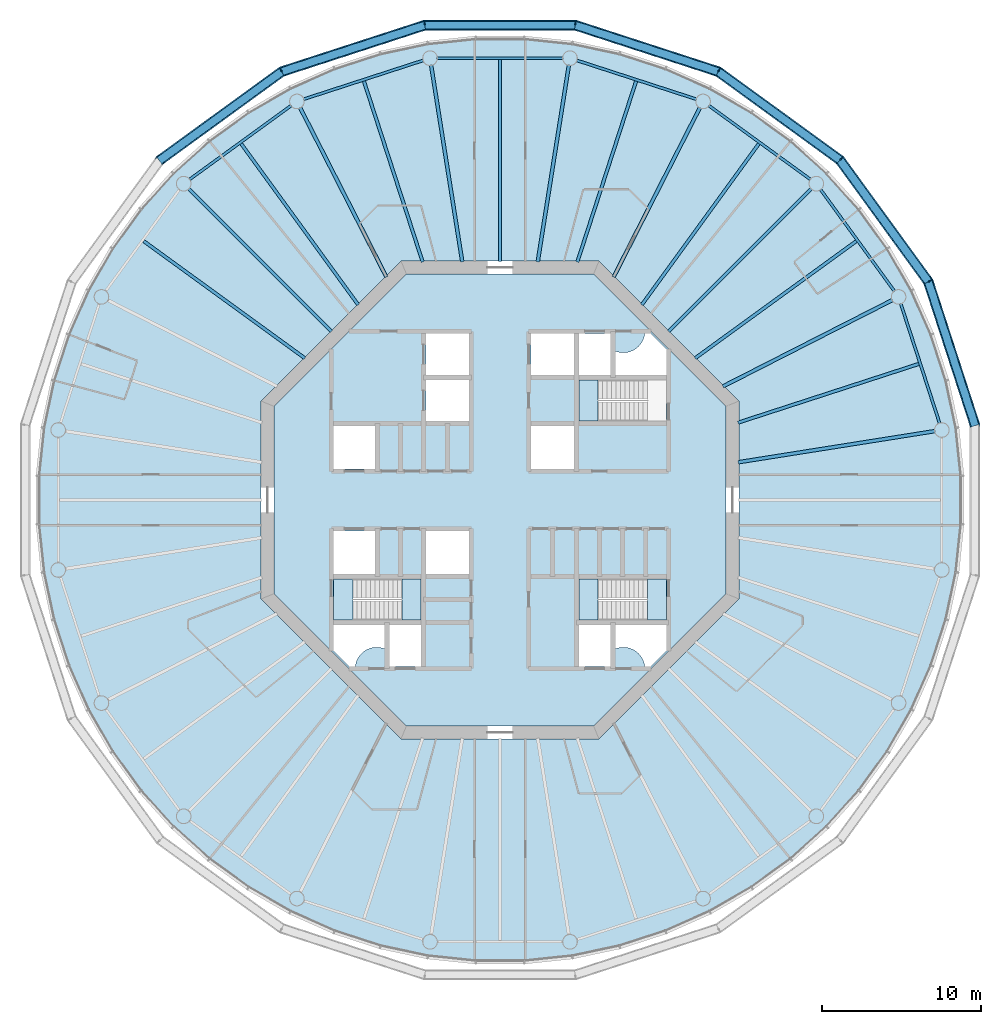
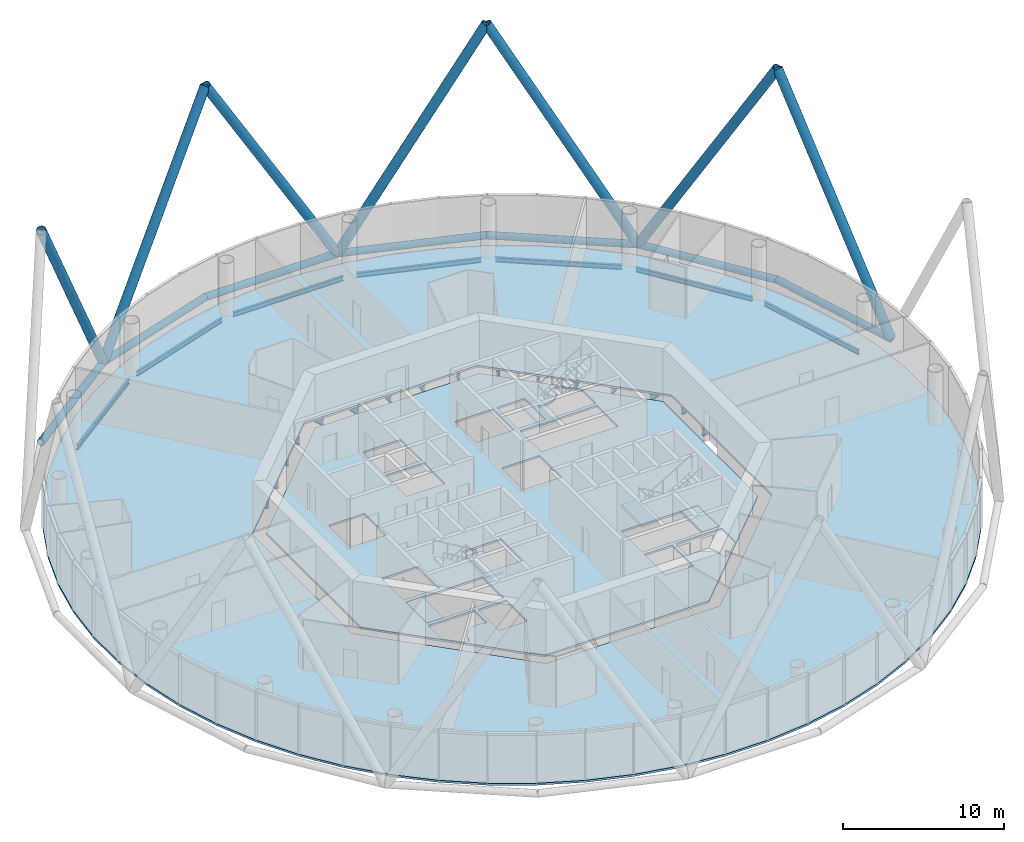
# One storey, part 2 of 13: 23 beams, 14 members, 7 slabs, 3 elements without a shape of their own.
"""IFC4 building model written with IfcOpenShell, lengths in metres."""

from ifc_helpers import new_model, si_unit, direction, frame, origin, origin_2d, place, context, subcontext, project, spatial, polyline, circle, hollow_circle, i_section, outline, extrude, material, layer, layer_set, material_profile, profile_set, type_object, element, aggregate, save


model = new_model("IFC4")

# Units and contexts
model_context = context("Model", 3, precision=1e-05, world=origin(), true_north=direction((0.0, 1.0)))
body_context = subcontext(model_context, "Body", "Model", "MODEL_VIEW")
ifc_project = project(units=[si_unit("LENGTHUNIT", "METRE"), si_unit("AREAUNIT", "SQUARE_METRE"), si_unit("VOLUMEUNIT", "CUBIC_METRE"), si_unit("PLANEANGLEUNIT", "RADIAN"), si_unit("MASSUNIT", "GRAM", prefix="KILO")], contexts=[model_context])

# Site, building, storey
site_placement = place(None, origin())
site = spatial("IfcSite", under=ifc_project, at=site_placement, CompositionType="ELEMENT")
building_placement = place(site_placement, origin())
building = spatial("IfcBuilding", under=site, at=building_placement, Name="Entoto Ring Tower", CompositionType="ELEMENT")
storey_placement = place(building_placement, frame((0.0, 0.0, 294.0)))
storey = spatial("IfcBuildingStorey", under=building, at=storey_placement, Name="L67", CompositionType="ELEMENT", Elevation=294.0)

# Members
ifc_material_1 = material(Name="Steel S355", Category="steel")
ifc_material_profile_1 = material_profile(ifc_material_1, hollow_circle(Radius=0.324951171875, WallThickness=0.031982421875, at=origin_2d()), Name="CHS 650 x 32")
ifc_material_2 = material(Name="Concrete C60/75", Category="concrete")
ifc_material_profile_2 = material_profile(ifc_material_2, circle(Radius=0.29296875, at=origin_2d()), Name="Concrete C60/75 infill")
ifc_profile_set_1 = profile_set([ifc_material_profile_1, ifc_material_profile_2], Name="Steel S355")
member_type_1 = type_object("IfcMemberType", Name="Diagrid diagonal 650 x 32 concrete-filled tube", PredefinedType="BRACE", material=ifc_profile_set_1)
member_1_placement = place(storey_placement, frame((119.828125, 84.724365234375, 0.0), z_axis=(-0.157127731074, 0.483602341134, 0.861068900714), x_axis=(-0.951058940693, -0.309009532745, 0.0)))
element("IfcMember", 1, at=member_1_placement, inside=storey, type_object=member_type_1, Name="DG6 module 23 02", PredefinedType="BRACE", context=body_context, shape_type="SweptSolid", body=[
    extrude(hollow_circle(Radius=0.324951171875, WallThickness=0.031982421875, at=origin_2d()), origin(), (0.0, 0.0, 1.0), 18.58154296875),
])
for number, where, z_axis, x_axis, name in (
    (2, (111.354736328125, 101.354736328125, 0.0), (0.298880991698, -0.41138837397, 0.861063155967), (0.809026493198, 0.587772178061, 0.0), "DG6 module 23 03"),
    (3, (111.354736328125, 101.354736328125, 0.0), (-0.41138837397, 0.298880991698, 0.861063155967), (-0.587772178061, -0.809026493198, 0.0), "DG6 module 23 04"),
):
    element("IfcMember", number, at=place(storey_placement, frame(where, z_axis=z_axis, x_axis=x_axis)), inside=storey, type_object=member_type_1, Name=name, PredefinedType="BRACE", context=body_context, shape_type="SweptSolid", body=[
        extrude(hollow_circle(Radius=0.324951171875, WallThickness=0.031982421875, at=origin_2d()), origin(), (0.0, 0.0, 1.0), 18.581787109375),
    ])
member_2_placement = place(storey_placement, frame((94.724365234375, 109.828125, 0.0), z_axis=(0.483602341134, -0.157127731074, 0.861068900714), x_axis=(0.309009532745, 0.951058940693, 0.0)))
element("IfcMember", 4, at=member_2_placement, inside=storey, type_object=member_type_1, Name="DG6 module 23 05", PredefinedType="BRACE", context=body_context, shape_type="SweptSolid", body=[
    extrude(hollow_circle(Radius=0.324951171875, WallThickness=0.031982421875, at=origin_2d()), origin(), (0.0, 0.0, 1.0), 18.58154296875),
])
member_3_placement = place(storey_placement, frame((94.724365234375, 109.828125, 0.0), z_axis=(-0.508497342761, 0.0, 0.861063558865), x_axis=(0.0, -1.0, 0.0)))
element("IfcMember", 5, at=member_3_placement, inside=storey, type_object=member_type_1, Name="DG6 module 23 06", PredefinedType="BRACE", context=body_context, shape_type="SweptSolid", body=[
    extrude(hollow_circle(Radius=0.324951171875, WallThickness=0.031982421875, at=origin_2d()), origin(), (0.0, 0.0, 1.0), 18.581787109375),
])
member_4_placement = place(storey_placement, frame((76.28955078125, 106.908447265625, 0.0), z_axis=(0.483602341134, 0.157127731074, 0.861068900714), x_axis=(-0.309009532745, 0.951058940693, 0.0)))
element("IfcMember", 6, at=member_4_placement, inside=storey, type_object=member_type_1, Name="DG6 module 23 07", PredefinedType="BRACE", context=body_context, shape_type="SweptSolid", body=[
    extrude(hollow_circle(Radius=0.324951171875, WallThickness=0.031982421875, at=origin_2d()), origin(), (0.0, 0.0, 1.0), 18.58154296875),
])
member_5_placement = place(storey_placement, frame((76.28955078125, 106.908447265625, 0.0), z_axis=(-0.41138837397, -0.298880991698, 0.861063155967), x_axis=(0.587772178061, -0.809026493198, 0.0)))
element("IfcMember", 7, at=member_5_placement, inside=storey, type_object=member_type_1, Name="DG6 module 23 08", PredefinedType="BRACE", context=body_context, shape_type="SweptSolid", body=[
    extrude(hollow_circle(Radius=0.324951171875, WallThickness=0.031982421875, at=origin_2d()), origin(), (0.0, 0.0, 1.0), 18.581787109375),
])
ifc_material_3 = material(Name="Steel S355", Category="steel")
ifc_material_profile_3 = material_profile(ifc_material_3, hollow_circle(Radius=0.25390625, WallThickness=0.030029296875, at=origin_2d()), Name="CHS 508 x 30")
ifc_material_4 = material(Name="Concrete C60/75", Category="concrete")
ifc_material_profile_4 = material_profile(ifc_material_4, circle(Radius=0.22412109375, at=origin_2d()), Name="Concrete C60/75 infill")
ifc_profile_set_2 = profile_set([ifc_material_profile_3, ifc_material_profile_4], Name="Steel S355")
member_type_2 = type_object("IfcMemberType", Name="Diagrid ring beam 508 x 30", PredefinedType="CHORD", material=ifc_profile_set_2)
for number, where, z_axis, x_axis, name in (
    (8, (119.8466796875, 84.6669921875, 0.0), (-0.308993189852, 0.951064250524, 0.0), (-0.951064250524, -0.308993189852, 0.0), "DR2 ring 22 01"),
    (9, (116.94384765625, 93.661865234375, 0.0), (-0.587786303985, 0.809016230274, 0.0), (-0.809016230274, -0.587786303985, 0.0), "DR2 ring 22 02"),
    (10, (111.4033203125, 101.3193359375, 0.0), (-0.809016230274, 0.587786303985, 0.0), (-0.587786303985, -0.809016230274, 0.0), "DR2 ring 22 03"),
    (11, (103.767822265625, 106.889892578125, 0.0), (-0.951064250524, 0.308993189852, 0.0), (-0.308993189852, -0.951064250524, 0.0), "DR2 ring 22 04"),
):
    element("IfcMember", number, at=place(storey_placement, frame(where, z_axis=z_axis, x_axis=x_axis)), inside=storey, type_object=member_type_2, Name=name, PredefinedType="CHORD", context=body_context, shape_type="SweptSolid", body=[
        extrude(hollow_circle(Radius=0.25390625, WallThickness=0.030029296875, at=origin_2d()), origin(), (0.0, 0.0, 1.0), 9.569091796875),
    ])
member_6_placement = place(storey_placement, frame((94.78466796875, 109.828125, 0.0), z_axis=(-1.0, 0.0, 0.0), x_axis=(0.0, -1.0, 0.0)))
element("IfcMember", 12, at=member_6_placement, inside=storey, type_object=member_type_2, Name="DR2 ring 22 05", PredefinedType="CHORD", context=body_context, shape_type="SweptSolid", body=[
    extrude(hollow_circle(Radius=0.25390625, WallThickness=0.030029296875, at=origin_2d()), origin(), (0.0, 0.0, 1.0), 9.5693359375),
])
for number, where, z_axis, x_axis, name in (
    (13, (85.3330078125, 109.8466796875, 0.0), (-0.951064250524, -0.308993189852, 0.0), (0.308993189852, -0.951064250524, 0.0), "DR2 ring 22 06"),
    (14, (76.338134765625, 106.94384765625, 0.0), (-0.809016230274, -0.587786303985, 0.0), (0.587786303985, -0.809016230274, 0.0), "DR2 ring 22 07"),
):
    element("IfcMember", number, at=place(storey_placement, frame(where, z_axis=z_axis, x_axis=x_axis)), inside=storey, type_object=member_type_2, Name=name, PredefinedType="CHORD", context=body_context, shape_type="SweptSolid", body=[
        extrude(hollow_circle(Radius=0.25390625, WallThickness=0.030029296875, at=origin_2d()), origin(), (0.0, 0.0, 1.0), 9.569091796875),
    ])

# Beams
ifc_material_5 = material(Name="Steel S355", Category="steel")
ifc_material_profile_5 = material_profile(ifc_material_5, i_section(OverallWidth=0.169921875, OverallDepth=0.360107421875, WebThickness=0.008056640625, FlangeThickness=0.0126953125, FilletRadius=0.01806640625, at=origin_2d()), Name="IPE 360")
ifc_profile_set_3 = profile_set([ifc_material_profile_5], Name="Steel S355")
beam_type_1 = type_object("IfcBeamType", Name="Edge beam IPE 360", PredefinedType="SPANDREL", material=ifc_profile_set_3)
beam_1_placement = place(storey_placement, frame((117.61572265625, 84.8212890625, -0.330078125), z_axis=(-0.309002883506, 0.951061101079, 0.0), x_axis=(-0.951061101079, -0.309002883506, 0.0)))
element("IfcBeam", 15, at=beam_1_placement, inside=storey, type_object=beam_type_1, Name="Edge beam L67 01", PredefinedType="SPANDREL", context=body_context, shape_type="SweptSolid", body=[
    extrude(i_section(OverallWidth=0.169921875, OverallDepth=0.360107421875, WebThickness=0.008056640625, FlangeThickness=0.0126953125, FilletRadius=0.01806640625, at=origin_2d()), origin(), (0.0, 0.0, 1.0), 7.89697265625),
])
for number, where, z_axis, x_axis, name in (
    (16, (114.7744140625, 93.118896484375, -0.330078125), (-0.587787449408, 0.809015398073, 0.0), (-0.809015398073, -0.587787449408, 0.0), "Edge beam L67 02"),
    (17, (109.5078125, 100.132568359375, -0.330078125), (-0.809015398073, 0.587787449408, 0.0), (-0.587787449408, -0.809015398073, 0.0), "Edge beam L67 03"),
):
    element("IfcBeam", number, at=place(storey_placement, frame(where, z_axis=z_axis, x_axis=x_axis)), inside=storey, type_object=beam_type_1, Name=name, PredefinedType="SPANDREL", context=body_context, shape_type="SweptSolid", body=[
        extrude(i_section(OverallWidth=0.169921875, OverallDepth=0.360107421875, WebThickness=0.008056640625, FlangeThickness=0.0126953125, FilletRadius=0.01806640625, at=origin_2d()), origin(), (0.0, 0.0, 1.0), 7.897216796875),
    ])
for number, where, z_axis, x_axis, name in (
    (18, (102.331787109375, 105.175537109375, -0.330078125), (-0.951061101079, 0.309002883506, 0.0), (-0.309002883506, -0.951061101079, 0.0), "Edge beam L67 04"),
    (19, (93.948486328125, 107.754150390625, -0.330078125), (-1.0, 0.0, 0.0), (0.0, -1.0, 0.0), "Edge beam L67 05"),
    (20, (85.1787109375, 107.61572265625, -0.330078125), (-0.951061101079, -0.309002883506, 0.0), (0.309002883506, -0.951061101079, 0.0), "Edge beam L67 06"),
):
    element("IfcBeam", number, at=place(storey_placement, frame(where, z_axis=z_axis, x_axis=x_axis)), inside=storey, type_object=beam_type_1, Name=name, PredefinedType="SPANDREL", context=body_context, shape_type="SweptSolid", body=[
        extrude(i_section(OverallWidth=0.169921875, OverallDepth=0.360107421875, WebThickness=0.008056640625, FlangeThickness=0.0126953125, FilletRadius=0.01806640625, at=origin_2d()), origin(), (0.0, 0.0, 1.0), 7.89697265625),
    ])
beam_2_placement = place(storey_placement, frame((76.881103515625, 104.7744140625, -0.330078125), z_axis=(-0.809015398073, -0.587787449408, 0.0), x_axis=(0.587787449408, -0.809015398073, 0.0)))
element("IfcBeam", 21, at=beam_2_placement, inside=storey, type_object=beam_type_1, Name="Edge beam L67 07", PredefinedType="SPANDREL", context=body_context, shape_type="SweptSolid", body=[
    extrude(i_section(OverallWidth=0.169921875, OverallDepth=0.360107421875, WebThickness=0.008056640625, FlangeThickness=0.0126953125, FilletRadius=0.01806640625, at=origin_2d()), origin(), (0.0, 0.0, 1.0), 7.897216796875),
])
ifc_material_6 = material(Name="Steel S355", Category="steel")
ifc_material_profile_6 = material_profile(ifc_material_6, i_section(OverallWidth=0.219970703125, OverallDepth=0.60009765625, WebThickness=0.011962890625, FlangeThickness=0.01904296875, FilletRadius=0.02392578125, at=origin_2d()), Name="IPE 600")
ifc_profile_set_4 = profile_set([ifc_material_profile_6], Name="Steel S355")
beam_type_2 = type_object("IfcBeamType", Name="Primary floor beam IPE 600", PredefinedType="BEAM", material=ifc_profile_set_4)
beam_3_placement = place(storey_placement, frame((104.963134765625, 82.369873046875, -0.449951171875), z_axis=(0.987687519796, 0.156439647277, 0.0), x_axis=(-0.156439647277, 0.987687519796, 0.0)))
element("IfcBeam", 22, at=beam_3_placement, inside=storey, type_object=beam_type_2, Name="Primary L67 R01", PredefinedType="BEAM", context=body_context, shape_type="SweptSolid", body=[
    extrude(i_section(OverallWidth=0.219970703125, OverallDepth=0.60009765625, WebThickness=0.011962890625, FlangeThickness=0.01904296875, FilletRadius=0.02392578125, at=origin_2d()), origin(), (0.0, 0.0, 1.0), 12.50830078125),
])
beam_4_placement = place(storey_placement, frame((104.003173828125, 87.135009765625, -0.449951171875), z_axis=(0.891007666593, 0.453988257638, 0.0), x_axis=(-0.453988257638, 0.891007666593, 0.0)))
element("IfcBeam", 23, at=beam_4_placement, inside=storey, type_object=beam_type_2, Name="Primary L67 R02", PredefinedType="BEAM", context=body_context, shape_type="SweptSolid", body=[
    extrude(i_section(OverallWidth=0.219970703125, OverallDepth=0.60009765625, WebThickness=0.011962890625, FlangeThickness=0.01904296875, FilletRadius=0.02392578125, at=origin_2d()), origin(), (0.0, 0.0, 1.0), 11.941650390625),
])
beam_5_placement = place(storey_placement, frame((100.592529296875, 90.592529296875, -0.449951171875), z_axis=(0.707106781187, 0.707106781187, 0.0), x_axis=(-0.707106781187, 0.707106781187, 0.0)))
element("IfcBeam", 24, at=beam_5_placement, inside=storey, type_object=beam_type_2, Name="Primary L67 R03", PredefinedType="BEAM", context=body_context, shape_type="SweptSolid", body=[
    extrude(i_section(OverallWidth=0.219970703125, OverallDepth=0.60009765625, WebThickness=0.011962890625, FlangeThickness=0.01904296875, FilletRadius=0.02392578125, at=origin_2d()), origin(), (0.0, 0.0, 1.0), 12.677978515625),
])
beam_6_placement = place(storey_placement, frame((97.135009765625, 94.003173828125, -0.449951171875), z_axis=(0.453988257638, 0.891007666593, 0.0), x_axis=(-0.891007666593, 0.453988257638, 0.0)))
element("IfcBeam", 25, at=beam_6_placement, inside=storey, type_object=beam_type_2, Name="Primary L67 R04", PredefinedType="BEAM", context=body_context, shape_type="SweptSolid", body=[
    extrude(i_section(OverallWidth=0.219970703125, OverallDepth=0.60009765625, WebThickness=0.011962890625, FlangeThickness=0.01904296875, FilletRadius=0.02392578125, at=origin_2d()), origin(), (0.0, 0.0, 1.0), 11.941650390625),
])
for number, where, z_axis, x_axis, name in (
    (26, (92.369873046875, 94.963134765625, -0.449951171875), (0.156439647277, 0.987687519796, 0.0), (-0.987687519796, 0.156439647277, 0.0), "Primary L67 R05"),
    (27, (87.630126953125, 94.963134765625, -0.449951171875), (-0.156439647277, 0.987687519796, 0.0), (-0.987687519796, -0.156439647277, 0.0), "Primary L67 R06"),
):
    element("IfcBeam", number, at=place(storey_placement, frame(where, z_axis=z_axis, x_axis=x_axis)), inside=storey, type_object=beam_type_2, Name=name, PredefinedType="BEAM", context=body_context, shape_type="SweptSolid", body=[
        extrude(i_section(OverallWidth=0.219970703125, OverallDepth=0.60009765625, WebThickness=0.011962890625, FlangeThickness=0.01904296875, FilletRadius=0.02392578125, at=origin_2d()), origin(), (0.0, 0.0, 1.0), 12.50830078125),
    ])
beam_7_placement = place(storey_placement, frame((82.864990234375, 94.003173828125, -0.449951171875), z_axis=(-0.453988257638, 0.891007666593, 0.0), x_axis=(-0.891007666593, -0.453988257638, 0.0)))
element("IfcBeam", 28, at=beam_7_placement, inside=storey, type_object=beam_type_2, Name="Primary L67 R07", PredefinedType="BEAM", context=body_context, shape_type="SweptSolid", body=[
    extrude(i_section(OverallWidth=0.219970703125, OverallDepth=0.60009765625, WebThickness=0.011962890625, FlangeThickness=0.01904296875, FilletRadius=0.02392578125, at=origin_2d()), origin(), (0.0, 0.0, 1.0), 11.941650390625),
])
beam_8_placement = place(storey_placement, frame((79.407470703125, 90.592529296875, -0.449951171875), z_axis=(-0.707106781187, 0.707106781187, 0.0), x_axis=(-0.707106781187, -0.707106781187, 0.0)))
element("IfcBeam", 29, at=beam_8_placement, inside=storey, type_object=beam_type_2, Name="Primary L67 R08", PredefinedType="BEAM", context=body_context, shape_type="SweptSolid", body=[
    extrude(i_section(OverallWidth=0.219970703125, OverallDepth=0.60009765625, WebThickness=0.011962890625, FlangeThickness=0.01904296875, FilletRadius=0.02392578125, at=origin_2d()), origin(), (0.0, 0.0, 1.0), 12.677978515625),
])
ifc_material_7 = material(Name="Steel S355", Category="steel")
ifc_material_profile_7 = material_profile(ifc_material_7, i_section(OverallWidth=0.199951171875, OverallDepth=0.5, WebThickness=0.01025390625, FlangeThickness=0.01611328125, FilletRadius=0.02099609375, at=origin_2d()), Name="IPE 500")
ifc_profile_set_5 = profile_set([ifc_material_profile_7], Name="Steel S355")
beam_type_3 = type_object("IfcBeamType", Name="Secondary floor beam IPE 500", PredefinedType="JOIST", material=ifc_profile_set_5)
beam_9_placement = place(storey_placement, frame((104.9501953125, 84.857666015625, -0.39990234375), z_axis=(0.951056587506, 0.30901677521, 0.0), x_axis=(-0.30901677521, 0.951056587506, 0.0)))
element("IfcBeam", 30, at=beam_9_placement, inside=storey, type_object=beam_type_3, Name="Secondary beam L67 01", PredefinedType="JOIST", context=body_context, shape_type="SweptSolid", body=[
    extrude(i_section(OverallWidth=0.199951171875, OverallDepth=0.5, WebThickness=0.01025390625, FlangeThickness=0.01611328125, FilletRadius=0.02099609375, at=origin_2d()), origin(), (0.0, 0.0, 1.0), 11.94970703125),
])
for number, where, z_axis, x_axis, name in (
    (31, (102.257568359375, 88.905517578125, -0.39990234375), (0.80901431041, 0.587788946436, 0.0), (-0.587788946436, 0.80901431041, 0.0), "Secondary beam L67 02"),
    (32, (98.905517578125, 92.257568359375, -0.39990234375), (0.587788946436, 0.80901431041, 0.0), (-0.80901431041, 0.587788946436, 0.0), "Secondary beam L67 03"),
):
    element("IfcBeam", number, at=place(storey_placement, frame(where, z_axis=z_axis, x_axis=x_axis)), inside=storey, type_object=beam_type_3, Name=name, PredefinedType="JOIST", context=body_context, shape_type="SweptSolid", body=[
        extrude(i_section(OverallWidth=0.199951171875, OverallDepth=0.5, WebThickness=0.01025390625, FlangeThickness=0.01611328125, FilletRadius=0.02099609375, at=origin_2d()), origin(), (0.0, 0.0, 1.0), 12.51806640625),
    ])
beam_10_placement = place(storey_placement, frame((94.857666015625, 94.9501953125, -0.39990234375), z_axis=(0.30901677521, 0.951056587506, 0.0), x_axis=(-0.951056587506, 0.30901677521, 0.0)))
element("IfcBeam", 33, at=beam_10_placement, inside=storey, type_object=beam_type_3, Name="Secondary beam L67 04", PredefinedType="JOIST", context=body_context, shape_type="SweptSolid", body=[
    extrude(i_section(OverallWidth=0.199951171875, OverallDepth=0.5, WebThickness=0.01025390625, FlangeThickness=0.01611328125, FilletRadius=0.02099609375, at=origin_2d()), origin(), (0.0, 0.0, 1.0), 11.94970703125),
])
beam_11_placement = place(storey_placement, frame((90.0, 94.97998046875, -0.39990234375), z_axis=(0.0, 1.0, 0.0), x_axis=(-1.0, 0.0, 0.0)))
element("IfcBeam", 34, at=beam_11_placement, inside=storey, type_object=beam_type_3, Name="Secondary beam L67 05", PredefinedType="JOIST", context=body_context, shape_type="SweptSolid", body=[
    extrude(i_section(OverallWidth=0.199951171875, OverallDepth=0.5, WebThickness=0.01025390625, FlangeThickness=0.01611328125, FilletRadius=0.02099609375, at=origin_2d()), origin(), (0.0, 0.0, 1.0), 12.68896484375),
])
beam_12_placement = place(storey_placement, frame((85.142333984375, 94.9501953125, -0.39990234375), z_axis=(-0.30901677521, 0.951056587506, 0.0), x_axis=(-0.951056587506, -0.30901677521, 0.0)))
element("IfcBeam", 35, at=beam_12_placement, inside=storey, type_object=beam_type_3, Name="Secondary beam L67 06", PredefinedType="JOIST", context=body_context, shape_type="SweptSolid", body=[
    extrude(i_section(OverallWidth=0.199951171875, OverallDepth=0.5, WebThickness=0.01025390625, FlangeThickness=0.01611328125, FilletRadius=0.02099609375, at=origin_2d()), origin(), (0.0, 0.0, 1.0), 11.94970703125),
])
for number, where, z_axis, x_axis, name in (
    (36, (81.094482421875, 92.257568359375, -0.39990234375), (-0.587788946436, 0.80901431041, 0.0), (-0.80901431041, -0.587788946436, 0.0), "Secondary beam L67 07"),
    (37, (77.742431640625, 88.905517578125, -0.39990234375), (-0.80901431041, 0.587788946436, 0.0), (-0.587788946436, -0.80901431041, 0.0), "Secondary beam L67 08"),
):
    element("IfcBeam", number, at=place(storey_placement, frame(where, z_axis=z_axis, x_axis=x_axis)), inside=storey, type_object=beam_type_3, Name=name, PredefinedType="JOIST", context=body_context, shape_type="SweptSolid", body=[
        extrude(i_section(OverallWidth=0.199951171875, OverallDepth=0.5, WebThickness=0.01025390625, FlangeThickness=0.01611328125, FilletRadius=0.02099609375, at=origin_2d()), origin(), (0.0, 0.0, 1.0), 12.51806640625),
    ])

# Slabs
ifc_material_8 = material(Name="Concrete C30/37", Category="concrete")
ifc_layer_1 = layer(ifc_material_8, 0.14990234375)
ifc_layer_set_1 = layer_set([ifc_layer_1], Name="Concrete C30/37")
slab_type_1 = type_object("IfcSlabType", Name="Composite floor slab 150 mm", PredefinedType="FLOOR", material=ifc_layer_set_1)
slab_1_placement = place(storey_placement, frame((0.0, 0.0, -0.14990234375)))
element("IfcSlab", 38, at=slab_1_placement, inside=storey, type_object=slab_type_1, Name="Floor slab L67", PredefinedType="FLOOR", context=body_context, shape_type="SweptSolid", body=[
    extrude(outline(polyline([(118.74169921875, 84.55224609375), (118.1083984375, 87.53173828125), (117.167236328125, 90.428466796875), (115.92822265625, 93.211181640625), (114.4052734375, 95.848876953125), (112.614990234375, 98.313232421875), (110.576904296875, 100.576904296875), (108.313232421875, 102.614990234375), (105.848876953125, 104.4052734375), (103.211181640625, 105.92822265625), (100.428466796875, 107.167236328125), (97.53173828125, 108.1083984375), (94.55224609375, 108.74169921875), (91.52294921875, 109.06005859375), (88.47705078125, 109.06005859375), (85.44775390625, 108.74169921875), (82.46826171875, 108.1083984375), (79.571533203125, 107.167236328125), (76.788818359375, 105.92822265625), (74.151123046875, 104.4052734375), (71.686767578125, 102.614990234375), (69.423095703125, 100.576904296875), (67.385009765625, 98.313232421875), (65.5947265625, 95.848876953125), (64.07177734375, 93.211181640625), (62.832763671875, 90.428466796875), (61.8916015625, 87.53173828125), (61.25830078125, 84.55224609375), (60.93994140625, 81.52294921875), (60.93994140625, 78.47705078125), (61.25830078125, 75.44775390625), (61.8916015625, 72.46826171875), (62.832763671875, 69.571533203125), (64.07177734375, 66.788818359375), (65.5947265625, 64.151123046875), (67.385009765625, 61.686767578125), (69.423095703125, 59.423095703125), (71.686767578125, 57.385009765625), (74.151123046875, 55.5947265625), (76.788818359375, 54.07177734375), (79.571533203125, 52.832763671875), (82.46826171875, 51.8916015625), (85.44775390625, 51.25830078125), (88.47705078125, 50.93994140625), (91.52294921875, 50.93994140625), (94.55224609375, 51.25830078125), (97.53173828125, 51.8916015625), (100.428466796875, 52.832763671875), (103.211181640625, 54.07177734375), (105.848876953125, 55.5947265625), (108.313232421875, 57.385009765625), (110.576904296875, 59.423095703125), (112.614990234375, 61.686767578125), (114.4052734375, 64.151123046875), (115.92822265625, 66.788818359375), (117.167236328125, 69.571533203125), (118.1083984375, 72.46826171875), (118.74169921875, 75.44775390625), (119.06005859375, 78.47705078125), (119.06005859375, 81.52294921875), (118.74169921875, 84.55224609375)]), holes=[polyline([(105.0, 73.786865234375), (105.0, 86.213134765625), (96.213134765625, 95.0), (83.786865234375, 95.0), (75.0, 86.213134765625), (75.0, 73.786865234375), (83.786865234375, 65.0), (96.213134765625, 65.0), (105.0, 73.786865234375)])]), origin(), (0.0, 0.0, 1.0), 0.14990234375),
])
ifc_material_9 = material(Name="Concrete C40/50", Category="concrete")
ifc_layer_2 = layer(ifc_material_9, 0.14990234375)
ifc_layer_set_2 = layer_set([ifc_layer_2], Name="Concrete C40/50")
slab_type_2 = type_object("IfcSlabType", Name="Core floor slab 150 mm reinforced concrete C40/50", PredefinedType="FLOOR", material=ifc_layer_set_2)
slab_2_placement = place(storey_placement, frame((0.0, 0.0, -0.14990234375)))
element("IfcSlab", 39, at=slab_2_placement, inside=storey, type_object=slab_type_2, Name="Core floor L67", PredefinedType="FLOOR", context=body_context, shape_type="SweptSolid", body=[
    extrude(outline(polyline([(104.199951171875, 74.1181640625), (104.199951171875, 85.8818359375), (95.8818359375, 94.199951171875), (84.1181640625, 94.199951171875), (75.800048828125, 85.8818359375), (75.800048828125, 74.1181640625), (84.1181640625, 65.800048828125), (95.8818359375, 65.800048828125), (104.199951171875, 74.1181640625)]), holes=[polyline([(100.449951171875, 84.949951171875), (100.449951171875, 87.550048828125), (94.949951171875, 87.550048828125), (94.949951171875, 84.949951171875), (100.449951171875, 84.949951171875)]), polyline([(85.050048828125, 72.449951171875), (85.050048828125, 75.050048828125), (79.550048828125, 75.050048828125), (79.550048828125, 72.449951171875), (85.050048828125, 72.449951171875)]), polyline([(100.449951171875, 72.449951171875), (100.449951171875, 75.050048828125), (94.949951171875, 75.050048828125), (94.949951171875, 72.449951171875), (100.449951171875, 72.449951171875)]), polyline([(94.949951171875, 90.449951171875), (94.949951171875, 87.85009765625), (96.949951171875, 87.85009765625), (96.949951171875, 90.449951171875), (94.949951171875, 90.449951171875)]), polyline([(94.949951171875, 72.14990234375), (94.949951171875, 69.550048828125), (96.949951171875, 69.550048828125), (96.949951171875, 72.14990234375), (94.949951171875, 72.14990234375)]), polyline([(83.050048828125, 72.14990234375), (83.050048828125, 69.550048828125), (85.050048828125, 69.550048828125), (85.050048828125, 72.14990234375), (83.050048828125, 72.14990234375)]), polyline([(79.550048828125, 81.949951171875), (82.14990234375, 81.949951171875), (82.14990234375, 84.64990234375), (79.550048828125, 84.64990234375), (79.550048828125, 81.949951171875)]), polyline([(79.550048828125, 75.35009765625), (82.14990234375, 75.35009765625), (82.14990234375, 78.050048828125), (79.550048828125, 78.050048828125), (79.550048828125, 75.35009765625)]), polyline([(91.949951171875, 87.85009765625), (94.64990234375, 87.85009765625), (94.64990234375, 90.449951171875), (91.949951171875, 90.449951171875), (91.949951171875, 87.85009765625)]), polyline([(91.949951171875, 81.949951171875), (94.64990234375, 81.949951171875), (94.64990234375, 84.64990234375), (91.949951171875, 84.64990234375), (91.949951171875, 81.949951171875)]), polyline([(85.35009765625, 75.35009765625), (88.050048828125, 75.35009765625), (88.050048828125, 78.050048828125), (85.35009765625, 78.050048828125), (85.35009765625, 75.35009765625)]), polyline([(85.35009765625, 84.949951171875), (88.050048828125, 84.949951171875), (88.050048828125, 87.550048828125), (85.35009765625, 87.550048828125), (85.35009765625, 84.949951171875)]), polyline([(85.35009765625, 87.85009765625), (88.050048828125, 87.85009765625), (88.050048828125, 90.449951171875), (85.35009765625, 90.449951171875), (85.35009765625, 87.85009765625)]), polyline([(97.199951171875, 89.368408203125), (97.199951171875, 87.800048828125), (100.5, 87.800048828125), (100.5, 89.4404296875), (99.4404296875, 90.5), (99.09521484375, 90.5), (99.093505859375, 90.4677734375), (99.07421875, 90.336669921875), (99.0419921875, 90.2080078125), (98.997314453125, 90.08349609375), (98.940673828125, 89.963623046875), (98.87255859375, 89.85009765625), (98.793701171875, 89.74365234375), (98.70458984375, 89.6455078125), (98.6064453125, 89.556396484375), (98.5, 89.4775390625), (98.386474609375, 89.409423828125), (98.2666015625, 89.352783203125), (98.141845703125, 89.30810546875), (98.013427734375, 89.27587890625), (97.88232421875, 89.256591796875), (97.75, 89.25), (97.61767578125, 89.256591796875), (97.486572265625, 89.27587890625), (97.358154296875, 89.30810546875), (97.2333984375, 89.352783203125), (97.199951171875, 89.368408203125)]), polyline([(80.5595703125, 69.5), (80.90478515625, 69.5), (80.906494140625, 69.5322265625), (80.92578125, 69.663330078125), (80.9580078125, 69.7919921875), (81.002685546875, 69.91650390625), (81.059326171875, 70.036376953125), (81.12744140625, 70.14990234375), (81.206298828125, 70.25634765625), (81.29541015625, 70.3544921875), (81.3935546875, 70.443603515625), (81.5, 70.5224609375), (81.613525390625, 70.590576171875), (81.7333984375, 70.647216796875), (81.858154296875, 70.69189453125), (81.986572265625, 70.72412109375), (82.11767578125, 70.743408203125), (82.25, 70.75), (82.38232421875, 70.743408203125), (82.513427734375, 70.72412109375), (82.641845703125, 70.69189453125), (82.7666015625, 70.647216796875), (82.800048828125, 70.631591796875), (82.800048828125, 72.199951171875), (79.5, 72.199951171875), (79.5, 70.5595703125), (80.5595703125, 69.5)]), polyline([(99.09521484375, 69.5), (99.4404296875, 69.5), (100.5, 70.5595703125), (100.5, 72.199951171875), (97.199951171875, 72.199951171875), (97.199951171875, 70.631591796875), (97.2333984375, 70.647216796875), (97.358154296875, 70.69189453125), (97.486572265625, 70.72412109375), (97.61767578125, 70.743408203125), (97.75, 70.75), (97.88232421875, 70.743408203125), (98.013427734375, 70.72412109375), (98.141845703125, 70.69189453125), (98.2666015625, 70.647216796875), (98.386474609375, 70.590576171875), (98.5, 70.5224609375), (98.6064453125, 70.443603515625), (98.70458984375, 70.3544921875), (98.793701171875, 70.25634765625), (98.87255859375, 70.14990234375), (98.940673828125, 70.036376953125), (98.997314453125, 69.91650390625), (99.0419921875, 69.7919921875), (99.07421875, 69.663330078125), (99.093505859375, 69.5322265625), (99.09521484375, 69.5)])]), origin(), (0.0, 0.0, 1.0), 0.14990234375),
])

# Stair, slab
ifc_material_10 = material(Name="Concrete C40/50", Category="concrete")
stair_type = type_object("IfcStairType", Name="Exit stair 1200 mm dog-leg reinforced concrete", PredefinedType="HALF_TURN_STAIR", material=ifc_material_10)
stair_1_placement = place(storey_placement, origin())
stair_1 = element("IfcStair", 40, at=stair_1_placement, inside=storey, type_object=stair_type, Name="Exit stair 1", PredefinedType="HALF_TURN_STAIR")
ifc_material_11 = material(Name="Concrete C40/50", Category="concrete")
ifc_layer_3 = layer(ifc_material_11, 0.199951171875)
ifc_layer_set_3 = layer_set([ifc_layer_3], Name="Concrete C40/50")
slab_type_3 = type_object("IfcSlabType", Name="Stair landing 200 mm reinforced concrete", PredefinedType="LANDING", material=ifc_layer_set_3)
slab_3_placement = place(storey_placement, frame((0.0, 0.0, 1.800048828125)))
slab_3 = element("IfcSlab", 41, at=slab_3_placement, type_object=slab_type_3, Name="ST1 landing 2", PredefinedType="LANDING", context=body_context, shape_type="SweptSolid", body=[
    extrude(outline(polyline([(94.949951171875, 84.949951171875), (96.169921875, 84.949951171875), (96.169921875, 87.550048828125), (94.949951171875, 87.550048828125), (94.949951171875, 84.949951171875)])), origin(), (0.0, 0.0, 1.0), 0.199951171875),
])
aggregate(stair_1, [slab_3])

# Stair, slabs
stair_2_placement = place(storey_placement, origin())
stair_2 = element("IfcStair", 42, at=stair_2_placement, inside=storey, type_object=stair_type, Name="Exit stair 2", PredefinedType="HALF_TURN_STAIR")
slab_4_placement = place(storey_placement, frame((0.0, 0.0, -0.199951171875)))
slab_4 = element("IfcSlab", 43, at=slab_4_placement, type_object=slab_type_3, Name="ST2 landing 1", PredefinedType="LANDING", context=body_context, shape_type="SweptSolid", body=[
    extrude(outline(polyline([(80.75, 72.449951171875), (80.75, 75.050048828125), (79.550048828125, 75.050048828125), (79.550048828125, 72.449951171875), (80.75, 72.449951171875)])), origin(), (0.0, 0.0, 1.0), 0.199951171875),
])
slab_5_placement = place(storey_placement, frame((0.0, 0.0, 1.800048828125)))
slab_5 = element("IfcSlab", 44, at=slab_5_placement, type_object=slab_type_3, Name="ST2 landing 2", PredefinedType="LANDING", context=body_context, shape_type="SweptSolid", body=[
    extrude(outline(polyline([(83.830078125, 72.449951171875), (85.050048828125, 72.449951171875), (85.050048828125, 75.050048828125), (83.830078125, 75.050048828125), (83.830078125, 72.449951171875)])), origin(), (0.0, 0.0, 1.0), 0.199951171875),
])
aggregate(stair_2, [slab_4, slab_5])

stair_3_placement = place(storey_placement, origin())
stair_3 = element("IfcStair", 45, at=stair_3_placement, inside=storey, type_object=stair_type, Name="Exit stair 3", PredefinedType="HALF_TURN_STAIR")
slab_6_placement = place(storey_placement, frame((0.0, 0.0, -0.199951171875)))
slab_6 = element("IfcSlab", 46, at=slab_6_placement, type_object=slab_type_3, Name="ST3 landing 1", PredefinedType="LANDING", context=body_context, shape_type="SweptSolid", body=[
    extrude(outline(polyline([(100.449951171875, 72.449951171875), (100.449951171875, 75.050048828125), (99.25, 75.050048828125), (99.25, 72.449951171875), (100.449951171875, 72.449951171875)])), origin(), (0.0, 0.0, 1.0), 0.199951171875),
])
slab_7_placement = place(storey_placement, frame((0.0, 0.0, 1.800048828125)))
slab_7 = element("IfcSlab", 47, at=slab_7_placement, type_object=slab_type_3, Name="ST3 landing 2", PredefinedType="LANDING", context=body_context, shape_type="SweptSolid", body=[
    extrude(outline(polyline([(94.949951171875, 72.449951171875), (96.169921875, 72.449951171875), (96.169921875, 75.050048828125), (94.949951171875, 75.050048828125), (94.949951171875, 72.449951171875)])), origin(), (0.0, 0.0, 1.0), 0.199951171875),
])
aggregate(stair_3, [slab_6, slab_7])

save(model, "model.ifc")
